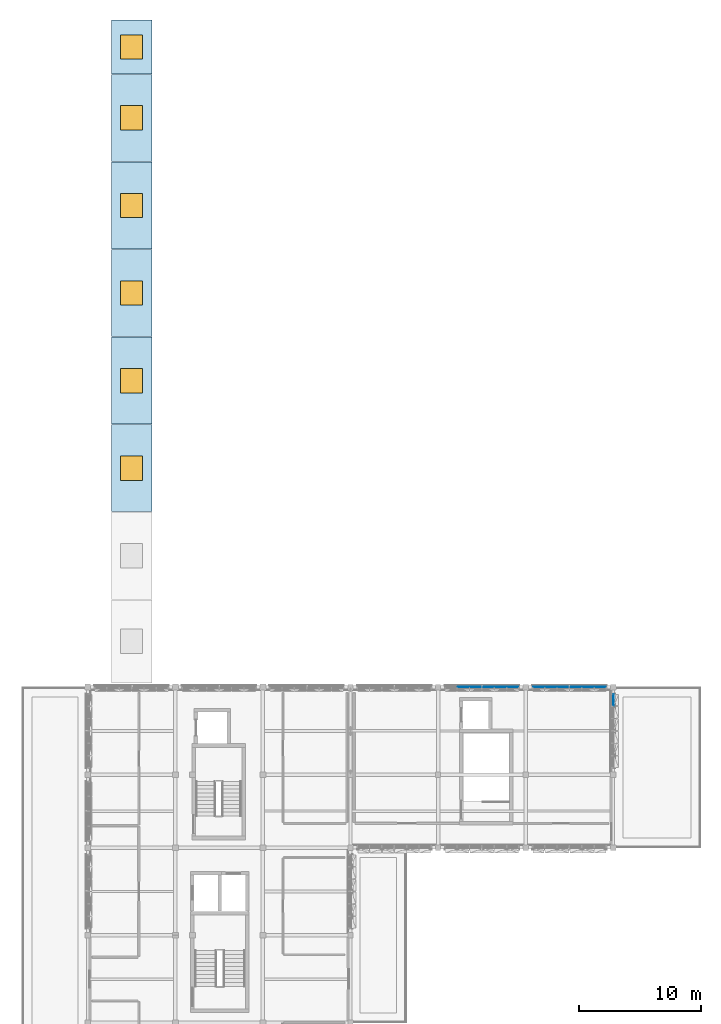
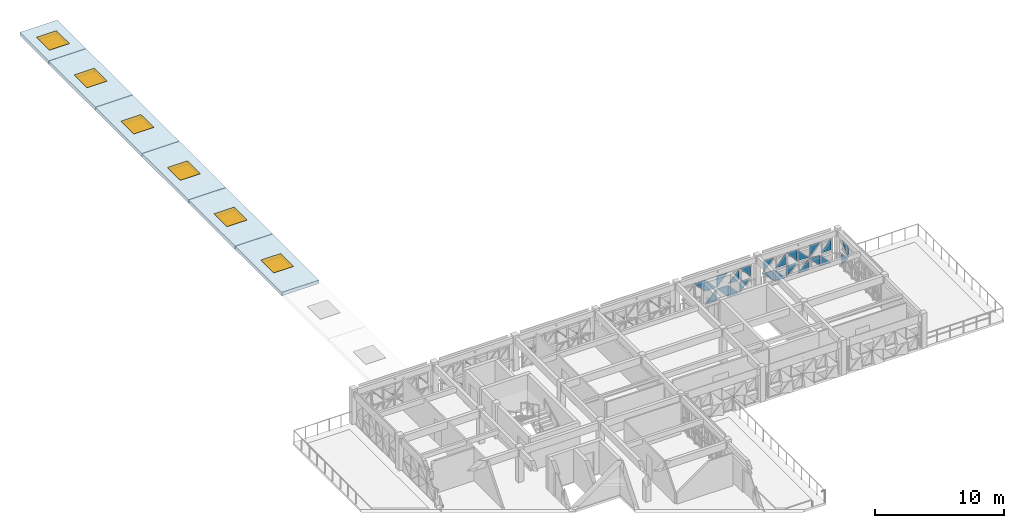
# One storey, part 17 of 35: 23 plates, 6 slabs, 6 windows, 6 openings, 3 elements without a shape of their own.
"""IFC4 building model written with IfcOpenShell, lengths in metres."""

from ifc_helpers import new_model, si_unit, direction, frame, origin, origin_2d, place, context, subcontext, project, spatial, polyline, rectangle, outline, extrude, material, layer, layer_set, type_object, element, fill, aggregate, save


model = new_model("IFC4")

# Units and contexts
model_context = context("Model", 3, precision=1e-05, world=origin(), true_north=direction((0.0, 1.0)))
body_context = subcontext(model_context, "Body", "Model", "MODEL_VIEW")
ifc_project = project(units=[si_unit("LENGTHUNIT", "METRE"), si_unit("AREAUNIT", "SQUARE_METRE"), si_unit("VOLUMEUNIT", "CUBIC_METRE"), si_unit("PLANEANGLEUNIT", "RADIAN"), si_unit("MASSUNIT", "GRAM", prefix="KILO")], contexts=[model_context])

# Site, building, storey
site_placement = place(None, origin())
site = spatial("IfcSite", under=ifc_project, at=site_placement, CompositionType="ELEMENT")
building_placement = place(site_placement, origin())
building = spatial("IfcBuilding", under=site, at=building_placement, Name="Alvorim Cloister Faculty of Sciences", CompositionType="ELEMENT")
storey_placement = place(building_placement, frame((0.0, 0.0, 22.949951171875)))
storey = spatial("IfcBuildingStorey", under=building, at=storey_placement, Name="L06", CompositionType="ELEMENT", Elevation=22.949951171875)

# Curtain wall, plates
ifc_material_1 = material(Name="Aluminium and Low-E Glass Curtain Wall", Category="aluminium")
curtain_wall_type = type_object("IfcCurtainWallType", Name="CW-TRI-6120x2550", PredefinedType="USERDEFINED", material=ifc_material_1)
curtain_wall_1_placement = place(storey_placement, origin())
curtain_wall_1 = element("IfcCurtainWall", 1, at=curtain_wall_1_placement, inside=storey, type_object=curtain_wall_type, Name="L06 Diagonal Cassette Curtain Wall CW-0249", ObjectType="UNITISED CURTAIN WALL", PredefinedType="USERDEFINED")
ifc_material_2 = material(Name="Double Low-E Laminated Glass", Category="glass")
ifc_layer_1 = layer(ifc_material_2, 0.0400390625)
ifc_layer_set_1 = layer_set([ifc_layer_1], Name="Double Low-E Laminated Glass")
plate_type = type_object("IfcPlateType", Name="PN-GLZ-40", PredefinedType="CURTAIN_PANEL", material=ifc_layer_set_1)
plate_1_placement = place(storey_placement, frame((37.592529296875, 56.425048828125, 1.344970703125), z_axis=(0.0, 0.0, 1.0), x_axis=(1.0, 0.0, 0.0)))
plate_1 = element("IfcPlate", 2, at=plate_1_placement, type_object=plate_type, Name="Diagonal Glazed Triangle TRI-TR", PredefinedType="CURTAIN_PANEL", context=body_context, shape_type="SweptSolid", body=[
    extrude(outline(polyline([(0.955078125, 0.001953125), (0.955078125, 1.065185546875), (0.001953125, 1.065185546875), (0.955078125, 0.001953125)])), frame((0.0, 0.02490234375, 0.0), z_axis=(0.0, -1.0, 0.0), x_axis=(1.0, 0.0, 0.0)), (0.0, 0.0, 1.0), 0.050048828125),
])
plate_2_placement = place(storey_placement, frame((38.612548828125, 56.425048828125, 0.14013671875), z_axis=(0.0, 0.0, 1.0), x_axis=(1.0, 0.0, 0.0)))
plate_2 = element("IfcPlate", 3, at=plate_2_placement, type_object=plate_type, Name="Diagonal Glazed Triangle TRI-BR", PredefinedType="CURTAIN_PANEL", context=body_context, shape_type="SweptSolid", body=[
    extrude(outline(polyline([(0.001953125, 0.0), (0.955078125, 0.0), (0.955078125, 1.06298828125), (0.001953125, 0.0)])), frame((0.0, 0.02490234375, 0.0), z_axis=(0.0, -1.0, 0.0), x_axis=(1.0, 0.0, 0.0)), (0.0, 0.0, 1.0), 0.050048828125),
])
plate_3_placement = place(storey_placement, frame((38.612548828125, 56.425048828125, 1.344970703125), z_axis=(0.0, 0.0, 1.0), x_axis=(1.0, 0.0, 0.0)))
plate_3 = element("IfcPlate", 4, at=plate_3_placement, type_object=plate_type, Name="Diagonal Glazed Triangle TRI-BL", PredefinedType="CURTAIN_PANEL", context=body_context, shape_type="SweptSolid", body=[
    extrude(outline(polyline([(0.0, 0.0), (0.953125, 0.0), (0.0, 1.063232421875), (0.0, 0.0)])), frame((0.0, 0.02490234375, 0.0), z_axis=(0.0, -1.0, 0.0), x_axis=(1.0, 0.0, 0.0)), (0.0, 0.0, 1.0), 0.050048828125),
])
plate_4_placement = place(storey_placement, frame((39.632568359375, 56.425048828125, 0.14013671875), z_axis=(0.0, 0.0, 1.0), x_axis=(1.0, 0.0, 0.0)))
plate_4 = element("IfcPlate", 5, at=plate_4_placement, type_object=plate_type, Name="Diagonal Glazed Triangle TRI-TR", PredefinedType="CURTAIN_PANEL", context=body_context, shape_type="SweptSolid", body=[
    extrude(outline(polyline([(0.955078125, 0.001953125), (0.955078125, 1.06494140625), (0.001953125, 1.06494140625), (0.955078125, 0.001953125)])), frame((0.0, 0.02490234375, 0.0), z_axis=(0.0, -1.0, 0.0), x_axis=(1.0, 0.0, 0.0)), (0.0, 0.0, 1.0), 0.050048828125),
])
plate_5_placement = place(storey_placement, frame((39.632568359375, 56.425048828125, 1.344970703125), z_axis=(0.0, 0.0, 1.0), x_axis=(1.0, 0.0, 0.0)))
plate_5 = element("IfcPlate", 6, at=plate_5_placement, type_object=plate_type, Name="Diagonal Glazed Triangle TRI-TL", PredefinedType="CURTAIN_PANEL", context=body_context, shape_type="SweptSolid", body=[
    extrude(outline(polyline([(0.953125, 1.065185546875), (0.0, 1.065185546875), (0.0, 0.001953125), (0.953125, 1.065185546875)])), frame((0.0, 0.02490234375, 0.0), z_axis=(0.0, -1.0, 0.0), x_axis=(1.0, 0.0, 0.0)), (0.0, 0.0, 1.0), 0.050048828125),
])
plate_6_placement = place(storey_placement, frame((40.652587890625, 56.425048828125, 0.14013671875), z_axis=(0.0, 0.0, 1.0), x_axis=(1.0, 0.0, 0.0)))
plate_6 = element("IfcPlate", 7, at=plate_6_placement, type_object=plate_type, Name="Diagonal Glazed Triangle TRI-BL", PredefinedType="CURTAIN_PANEL", context=body_context, shape_type="SweptSolid", body=[
    extrude(outline(polyline([(0.0, 0.0), (0.953125, 0.0), (0.0, 1.06298828125), (0.0, 0.0)])), frame((0.0, 0.02490234375, 0.0), z_axis=(0.0, -1.0, 0.0), x_axis=(1.0, 0.0, 0.0)), (0.0, 0.0, 1.0), 0.050048828125),
])
plate_7_placement = place(storey_placement, frame((40.652587890625, 56.425048828125, 1.344970703125), z_axis=(0.0, 0.0, 1.0), x_axis=(1.0, 0.0, 0.0)))
plate_7 = element("IfcPlate", 8, at=plate_7_placement, type_object=plate_type, Name="Diagonal Glazed Triangle TRI-BR", PredefinedType="CURTAIN_PANEL", context=body_context, shape_type="SweptSolid", body=[
    extrude(outline(polyline([(0.001953125, 0.0), (0.955078125, 0.0), (0.955078125, 1.063232421875), (0.001953125, 0.0)])), frame((0.0, 0.02490234375, 0.0), z_axis=(0.0, -1.0, 0.0), x_axis=(1.0, 0.0, 0.0)), (0.0, 0.0, 1.0), 0.050048828125),
])
plate_8_placement = place(storey_placement, frame((41.672607421875, 56.425048828125, 0.14013671875), z_axis=(0.0, 0.0, 1.0), x_axis=(1.0, 0.0, 0.0)))
plate_8 = element("IfcPlate", 9, at=plate_8_placement, type_object=plate_type, Name="Diagonal Glazed Triangle TRI-TL", PredefinedType="CURTAIN_PANEL", context=body_context, shape_type="SweptSolid", body=[
    extrude(outline(polyline([(0.920654296875, 1.06494140625), (0.0, 1.06494140625), (0.0, 0.001953125), (0.920654296875, 1.06494140625)])), frame((0.0, 0.02490234375, 0.0), z_axis=(0.0, -1.0, 0.0), x_axis=(1.0, 0.0, 0.0)), (0.0, 0.0, 1.0), 0.050048828125),
])
plate_9_placement = place(storey_placement, frame((41.672607421875, 56.425048828125, 1.344970703125), z_axis=(0.0, 0.0, 1.0), x_axis=(1.0, 0.0, 0.0)))
plate_9 = element("IfcPlate", 10, at=plate_9_placement, type_object=plate_type, Name="Diagonal Glazed Triangle TRI-TR", PredefinedType="CURTAIN_PANEL", context=body_context, shape_type="SweptSolid", body=[
    extrude(outline(polyline([(0.922607421875, 0.001953125), (0.922607421875, 1.065185546875), (0.001953125, 1.065185546875), (0.922607421875, 0.001953125)])), frame((0.0, 0.02490234375, 0.0), z_axis=(0.0, -1.0, 0.0), x_axis=(1.0, 0.0, 0.0)), (0.0, 0.0, 1.0), 0.050048828125),
])
aggregate(curtain_wall_1, [plate_1, plate_2, plate_3, plate_4, plate_5, plate_6, plate_7, plate_8, plate_9])

curtain_wall_2_placement = place(storey_placement, origin())
curtain_wall_2 = element("IfcCurtainWall", 11, at=curtain_wall_2_placement, inside=storey, type_object=curtain_wall_type, Name="L06 Diagonal Cassette Curtain Wall CW-0250", ObjectType="UNITISED CURTAIN WALL", PredefinedType="USERDEFINED")
plate_10_placement = place(storey_placement, frame((43.804931640625, 56.425048828125, 0.14013671875), z_axis=(0.0, 0.0, 1.0), x_axis=(1.0, 0.0, 0.0)))
plate_10 = element("IfcPlate", 12, at=plate_10_placement, type_object=plate_type, Name="Diagonal Glazed Triangle TRI-TR", PredefinedType="CURTAIN_PANEL", context=body_context, shape_type="SweptSolid", body=[
    extrude(outline(polyline([(0.922607421875, 0.001953125), (0.922607421875, 1.06494140625), (0.001953125, 1.06494140625), (0.922607421875, 0.001953125)])), frame((0.0, 0.02490234375, 0.0), z_axis=(0.0, -1.0, 0.0), x_axis=(1.0, 0.0, 0.0)), (0.0, 0.0, 1.0), 0.050048828125),
])
plate_11_placement = place(storey_placement, frame((43.804931640625, 56.425048828125, 1.344970703125), z_axis=(0.0, 0.0, 1.0), x_axis=(1.0, 0.0, 0.0)))
plate_11 = element("IfcPlate", 13, at=plate_11_placement, type_object=plate_type, Name="Diagonal Glazed Triangle TRI-TL", PredefinedType="CURTAIN_PANEL", context=body_context, shape_type="SweptSolid", body=[
    extrude(outline(polyline([(0.920654296875, 1.065185546875), (0.0, 1.065185546875), (0.0, 0.001953125), (0.920654296875, 1.065185546875)])), frame((0.0, 0.02490234375, 0.0), z_axis=(0.0, -1.0, 0.0), x_axis=(1.0, 0.0, 0.0)), (0.0, 0.0, 1.0), 0.050048828125),
])
plate_12_placement = place(storey_placement, frame((44.79248046875, 56.425048828125, 0.14013671875), z_axis=(0.0, 0.0, 1.0), x_axis=(1.0, 0.0, 0.0)))
plate_12 = element("IfcPlate", 14, at=plate_12_placement, type_object=plate_type, Name="Diagonal Glazed Triangle TRI-BL", PredefinedType="CURTAIN_PANEL", context=body_context, shape_type="SweptSolid", body=[
    extrude(outline(polyline([(0.0, 0.0), (0.953125, 0.0), (0.0, 1.06298828125), (0.0, 0.0)])), frame((0.0, 0.02490234375, 0.0), z_axis=(0.0, -1.0, 0.0), x_axis=(1.0, 0.0, 0.0)), (0.0, 0.0, 1.0), 0.050048828125),
])
plate_13_placement = place(storey_placement, frame((44.79248046875, 56.425048828125, 1.344970703125), z_axis=(0.0, 0.0, 1.0), x_axis=(1.0, 0.0, 0.0)))
plate_13 = element("IfcPlate", 15, at=plate_13_placement, type_object=plate_type, Name="Diagonal Glazed Triangle TRI-BR", PredefinedType="CURTAIN_PANEL", context=body_context, shape_type="SweptSolid", body=[
    extrude(outline(polyline([(0.001953125, 0.0), (0.955078125, 0.0), (0.955078125, 1.063232421875), (0.001953125, 0.0)])), frame((0.0, 0.02490234375, 0.0), z_axis=(0.0, -1.0, 0.0), x_axis=(1.0, 0.0, 0.0)), (0.0, 0.0, 1.0), 0.050048828125),
])
plate_14_placement = place(storey_placement, frame((45.8125, 56.425048828125, 0.14013671875), z_axis=(0.0, 0.0, 1.0), x_axis=(1.0, 0.0, 0.0)))
plate_14 = element("IfcPlate", 16, at=plate_14_placement, type_object=plate_type, Name="Diagonal Glazed Triangle TRI-TL", PredefinedType="CURTAIN_PANEL", context=body_context, shape_type="SweptSolid", body=[
    extrude(outline(polyline([(0.953125, 1.06494140625), (0.0, 1.06494140625), (0.0, 0.001953125), (0.953125, 1.06494140625)])), frame((0.0, 0.02490234375, 0.0), z_axis=(0.0, -1.0, 0.0), x_axis=(1.0, 0.0, 0.0)), (0.0, 0.0, 1.0), 0.050048828125),
])
plate_15_placement = place(storey_placement, frame((45.8125, 56.425048828125, 1.344970703125), z_axis=(0.0, 0.0, 1.0), x_axis=(1.0, 0.0, 0.0)))
plate_15 = element("IfcPlate", 17, at=plate_15_placement, type_object=plate_type, Name="Diagonal Glazed Triangle TRI-TR", PredefinedType="CURTAIN_PANEL", context=body_context, shape_type="SweptSolid", body=[
    extrude(outline(polyline([(0.955078125, 0.001953125), (0.955078125, 1.065185546875), (0.001953125, 1.065185546875), (0.955078125, 0.001953125)])), frame((0.0, 0.02490234375, 0.0), z_axis=(0.0, -1.0, 0.0), x_axis=(1.0, 0.0, 0.0)), (0.0, 0.0, 1.0), 0.050048828125),
])
plate_16_placement = place(storey_placement, frame((46.83251953125, 56.425048828125, 0.14013671875), z_axis=(0.0, 0.0, 1.0), x_axis=(1.0, 0.0, 0.0)))
plate_16 = element("IfcPlate", 18, at=plate_16_placement, type_object=plate_type, Name="Diagonal Glazed Triangle TRI-BR", PredefinedType="CURTAIN_PANEL", context=body_context, shape_type="SweptSolid", body=[
    extrude(outline(polyline([(0.001953125, 0.0), (0.955078125, 0.0), (0.955078125, 1.06298828125), (0.001953125, 0.0)])), frame((0.0, 0.02490234375, 0.0), z_axis=(0.0, -1.0, 0.0), x_axis=(1.0, 0.0, 0.0)), (0.0, 0.0, 1.0), 0.050048828125),
])
plate_17_placement = place(storey_placement, frame((46.83251953125, 56.425048828125, 1.344970703125), z_axis=(0.0, 0.0, 1.0), x_axis=(1.0, 0.0, 0.0)))
plate_17 = element("IfcPlate", 19, at=plate_17_placement, type_object=plate_type, Name="Diagonal Glazed Triangle TRI-BL", PredefinedType="CURTAIN_PANEL", context=body_context, shape_type="SweptSolid", body=[
    extrude(outline(polyline([(0.0, 0.0), (0.953125, 0.0), (0.0, 1.063232421875), (0.0, 0.0)])), frame((0.0, 0.02490234375, 0.0), z_axis=(0.0, -1.0, 0.0), x_axis=(1.0, 0.0, 0.0)), (0.0, 0.0, 1.0), 0.050048828125),
])
plate_18_placement = place(storey_placement, frame((47.8525390625, 56.425048828125, 0.14013671875), z_axis=(0.0, 0.0, 1.0), x_axis=(1.0, 0.0, 0.0)))
plate_18 = element("IfcPlate", 20, at=plate_18_placement, type_object=plate_type, Name="Diagonal Glazed Triangle TRI-TR", PredefinedType="CURTAIN_PANEL", context=body_context, shape_type="SweptSolid", body=[
    extrude(outline(polyline([(0.955078125, 0.001953125), (0.955078125, 1.06494140625), (0.001953125, 1.06494140625), (0.955078125, 0.001953125)])), frame((0.0, 0.02490234375, 0.0), z_axis=(0.0, -1.0, 0.0), x_axis=(1.0, 0.0, 0.0)), (0.0, 0.0, 1.0), 0.050048828125),
])
plate_19_placement = place(storey_placement, frame((47.8525390625, 56.425048828125, 1.344970703125), z_axis=(0.0, 0.0, 1.0), x_axis=(1.0, 0.0, 0.0)))
plate_19 = element("IfcPlate", 21, at=plate_19_placement, type_object=plate_type, Name="Diagonal Glazed Triangle TRI-TL", PredefinedType="CURTAIN_PANEL", context=body_context, shape_type="SweptSolid", body=[
    extrude(outline(polyline([(0.953125, 1.065185546875), (0.0, 1.065185546875), (0.0, 0.001953125), (0.953125, 1.065185546875)])), frame((0.0, 0.02490234375, 0.0), z_axis=(0.0, -1.0, 0.0), x_axis=(1.0, 0.0, 0.0)), (0.0, 0.0, 1.0), 0.050048828125),
])
plate_20_placement = place(storey_placement, frame((48.87255859375, 56.425048828125, 0.14013671875), z_axis=(0.0, 0.0, 1.0), x_axis=(1.0, 0.0, 0.0)))
plate_20 = element("IfcPlate", 22, at=plate_20_placement, type_object=plate_type, Name="Diagonal Glazed Triangle TRI-BL", PredefinedType="CURTAIN_PANEL", context=body_context, shape_type="SweptSolid", body=[
    extrude(outline(polyline([(0.0, 0.0), (0.920654296875, 0.0), (0.0, 1.06298828125), (0.0, 0.0)])), frame((0.0, 0.02490234375, 0.0), z_axis=(0.0, -1.0, 0.0), x_axis=(1.0, 0.0, 0.0)), (0.0, 0.0, 1.0), 0.050048828125),
])
plate_21_placement = place(storey_placement, frame((48.87255859375, 56.425048828125, 1.344970703125), z_axis=(0.0, 0.0, 1.0), x_axis=(1.0, 0.0, 0.0)))
plate_21 = element("IfcPlate", 23, at=plate_21_placement, type_object=plate_type, Name="Diagonal Glazed Triangle TRI-BR", PredefinedType="CURTAIN_PANEL", context=body_context, shape_type="SweptSolid", body=[
    extrude(outline(polyline([(0.001953125, 0.0), (0.922607421875, 0.0), (0.922607421875, 1.063232421875), (0.001953125, 0.0)])), frame((0.0, 0.02490234375, 0.0), z_axis=(0.0, -1.0, 0.0), x_axis=(1.0, 0.0, 0.0)), (0.0, 0.0, 1.0), 0.050048828125),
])
aggregate(curtain_wall_2, [plate_10, plate_11, plate_12, plate_13, plate_14, plate_15, plate_16, plate_17, plate_18, plate_19, plate_20, plate_21])

curtain_wall_3_placement = place(storey_placement, origin())
curtain_wall_3 = element("IfcCurtainWall", 24, at=curtain_wall_3_placement, inside=storey, type_object=curtain_wall_type, Name="L06 Diagonal Cassette Curtain Wall CW-0251", ObjectType="UNITISED CURTAIN WALL", PredefinedType="USERDEFINED")
plate_22_placement = place(storey_placement, frame((50.425048828125, 54.87255859375, 0.14013671875), z_axis=(0.0, 0.0, 1.0), x_axis=(0.0, 1.0, 0.0)))
plate_22 = element("IfcPlate", 25, at=plate_22_placement, type_object=plate_type, Name="Diagonal Glazed Triangle TRI-TR", PredefinedType="CURTAIN_PANEL", context=body_context, shape_type="SweptSolid", body=[
    extrude(outline(polyline([(0.922607421875, 0.001953125), (0.922607421875, 1.06494140625), (0.001953125, 1.06494140625), (0.922607421875, 0.001953125)])), frame((0.0, 0.02490234375, 0.0), z_axis=(0.0, -1.0, 0.0), x_axis=(1.0, 0.0, 0.0)), (0.0, 0.0, 1.0), 0.050048828125),
])
plate_23_placement = place(storey_placement, frame((50.425048828125, 54.87255859375, 1.344970703125), z_axis=(0.0, 0.0, 1.0), x_axis=(0.0, 1.0, 0.0)))
plate_23 = element("IfcPlate", 26, at=plate_23_placement, type_object=plate_type, Name="Diagonal Glazed Triangle TRI-TL", PredefinedType="CURTAIN_PANEL", context=body_context, shape_type="SweptSolid", body=[
    extrude(outline(polyline([(0.920654296875, 1.065185546875), (0.0, 1.065185546875), (0.0, 0.001953125), (0.920654296875, 1.065185546875)])), frame((0.0, 0.02490234375, 0.0), z_axis=(0.0, -1.0, 0.0), x_axis=(1.0, 0.0, 0.0)), (0.0, 0.0, 1.0), 0.050048828125),
])
aggregate(curtain_wall_3, [plate_22, plate_23])

# Slab, opening, window
ifc_material_3 = material(Name="Concrete C40", Category="concrete")
ifc_layer_2 = layer(ifc_material_3, 0.340087890625)
ifc_layer_set_2 = layer_set([ifc_layer_2], Name="Concrete C40")
slab_type = type_object("IfcSlabType", Name="SL-ROOF-340", PredefinedType="ROOF", material=ifc_layer_set_2)
slab_1_placement = place(storey_placement, frame((0.0, 0.0, 2.48876953125)))
slab_1 = element("IfcSlab", 27, at=slab_1_placement, inside=storey, type_object=slab_type, Name="Learning Commons Skylight Lantern Deck 3", PredefinedType="ROOF", context=body_context, shape_type="SweptSolid", body=[
    extrude(outline(polyline([(9.139892578125, 70.820068359375), (12.4599609375, 70.820068359375), (12.4599609375, 77.97998046875), (9.139892578125, 77.97998046875), (9.139892578125, 70.820068359375)])), origin(), (0.0, 0.0, 1.0), 0.33984375),
])
opening_1_placement = place(slab_1_placement, frame((10.800048828125, 74.39990234375, -0.011962890625)))
opening_1 = element("IfcOpeningElement", 28, at=opening_1_placement, cuts=slab_1, Name="Opening SK-05", PredefinedType="OPENING", context=body_context, shape_type="SweptSolid", body=[
    extrude(rectangle(XDim=1.800048828125, YDim=2.0, at=origin_2d()), origin(), (0.0, 0.0, 1.0), 0.36376953125),
])
window_type = type_object("IfcWindowType", Name="WN-SKY-1800x2000", PartitioningType="SINGLE_PANEL", PredefinedType="SKYLIGHT", material=ifc_material_2)
window_1_placement = place(slab_1_placement, frame((10.800048828125, 74.39990234375, 0.289794921875)))
window_1 = element("IfcWindow", 29, at=window_1_placement, inside=storey, type_object=window_type, Name="Lantern Crest Skylight SK-05", OverallHeight=2.0, OverallWidth=1.800048828125, PartitioningType="SINGLE_PANEL", PredefinedType="SKYLIGHT", context=body_context, shape_type="SweptSolid", body=[
    extrude(rectangle(XDim=1.800048828125, YDim=2.0, at=origin_2d()), origin(), (0.0, 0.0, 1.0), 0.050048828125),
])
fill(opening_1, window_1)

slab_2_placement = place(storey_placement, frame((0.0, 0.0, 2.48876953125)))
slab_2 = element("IfcSlab", 30, at=slab_2_placement, inside=storey, type_object=slab_type, Name="Learning Commons Skylight Lantern Deck 4", PredefinedType="ROOF", context=body_context, shape_type="SweptSolid", body=[
    extrude(outline(polyline([(9.139892578125, 78.02001953125), (12.4599609375, 78.02001953125), (12.4599609375, 85.179931640625), (9.139892578125, 85.179931640625), (9.139892578125, 78.02001953125)])), origin(), (0.0, 0.0, 1.0), 0.33984375),
])
opening_2_placement = place(slab_2_placement, frame((10.800048828125, 81.60009765625, -0.011962890625)))
opening_2 = element("IfcOpeningElement", 31, at=opening_2_placement, cuts=slab_2, Name="Opening SK-06", PredefinedType="OPENING", context=body_context, shape_type="SweptSolid", body=[
    extrude(rectangle(XDim=1.800048828125, YDim=2.0, at=origin_2d()), origin(), (0.0, 0.0, 1.0), 0.36376953125),
])
window_2_placement = place(slab_2_placement, frame((10.800048828125, 81.60009765625, 0.289794921875)))
window_2 = element("IfcWindow", 32, at=window_2_placement, inside=storey, type_object=window_type, Name="Lantern Crest Skylight SK-06", OverallHeight=2.0, OverallWidth=1.800048828125, PartitioningType="SINGLE_PANEL", PredefinedType="SKYLIGHT", context=body_context, shape_type="SweptSolid", body=[
    extrude(rectangle(XDim=1.800048828125, YDim=2.0, at=origin_2d()), origin(), (0.0, 0.0, 1.0), 0.050048828125),
])
fill(opening_2, window_2)

slab_3_placement = place(storey_placement, frame((0.0, 0.0, 2.48876953125)))
slab_3 = element("IfcSlab", 33, at=slab_3_placement, inside=storey, type_object=slab_type, Name="Learning Commons Skylight Lantern Deck 5", PredefinedType="ROOF", context=body_context, shape_type="SweptSolid", body=[
    extrude(outline(polyline([(9.139892578125, 85.219970703125), (12.4599609375, 85.219970703125), (12.4599609375, 92.3798828125), (9.139892578125, 92.3798828125), (9.139892578125, 85.219970703125)])), origin(), (0.0, 0.0, 1.0), 0.33984375),
])
opening_3_placement = place(slab_3_placement, frame((10.800048828125, 88.800048828125, -0.011962890625)))
opening_3 = element("IfcOpeningElement", 34, at=opening_3_placement, cuts=slab_3, Name="Opening SK-07", PredefinedType="OPENING", context=body_context, shape_type="SweptSolid", body=[
    extrude(rectangle(XDim=1.800048828125, YDim=2.0, at=origin_2d()), origin(), (0.0, 0.0, 1.0), 0.36376953125),
])
window_3_placement = place(slab_3_placement, frame((10.800048828125, 88.800048828125, 0.289794921875)))
window_3 = element("IfcWindow", 35, at=window_3_placement, inside=storey, type_object=window_type, Name="Lantern Crest Skylight SK-07", OverallHeight=2.0, OverallWidth=1.800048828125, PartitioningType="SINGLE_PANEL", PredefinedType="SKYLIGHT", context=body_context, shape_type="SweptSolid", body=[
    extrude(rectangle(XDim=1.800048828125, YDim=2.0, at=origin_2d()), origin(), (0.0, 0.0, 1.0), 0.050048828125),
])
fill(opening_3, window_3)

slab_4_placement = place(storey_placement, frame((0.0, 0.0, 2.48876953125)))
slab_4 = element("IfcSlab", 36, at=slab_4_placement, inside=storey, type_object=slab_type, Name="Learning Commons Skylight Lantern Deck 6", PredefinedType="ROOF", context=body_context, shape_type="SweptSolid", body=[
    extrude(outline(polyline([(9.139892578125, 92.419921875), (12.4599609375, 92.419921875), (12.4599609375, 99.580078125), (9.139892578125, 99.580078125), (9.139892578125, 92.419921875)])), origin(), (0.0, 0.0, 1.0), 0.33984375),
])
opening_4_placement = place(slab_4_placement, frame((10.800048828125, 96.0, -0.011962890625)))
opening_4 = element("IfcOpeningElement", 37, at=opening_4_placement, cuts=slab_4, Name="Opening SK-08", PredefinedType="OPENING", context=body_context, shape_type="SweptSolid", body=[
    extrude(rectangle(XDim=1.800048828125, YDim=2.0, at=origin_2d()), origin(), (0.0, 0.0, 1.0), 0.36376953125),
])
window_4_placement = place(slab_4_placement, frame((10.800048828125, 96.0, 0.289794921875)))
window_4 = element("IfcWindow", 38, at=window_4_placement, inside=storey, type_object=window_type, Name="Lantern Crest Skylight SK-08", OverallHeight=2.0, OverallWidth=1.800048828125, PartitioningType="SINGLE_PANEL", PredefinedType="SKYLIGHT", context=body_context, shape_type="SweptSolid", body=[
    extrude(rectangle(XDim=1.800048828125, YDim=2.0, at=origin_2d()), origin(), (0.0, 0.0, 1.0), 0.050048828125),
])
fill(opening_4, window_4)

slab_5_placement = place(storey_placement, frame((0.0, 0.0, 2.48876953125)))
slab_5 = element("IfcSlab", 39, at=slab_5_placement, inside=storey, type_object=slab_type, Name="Learning Commons Skylight Lantern Deck 7", PredefinedType="ROOF", context=body_context, shape_type="SweptSolid", body=[
    extrude(outline(polyline([(9.139892578125, 99.6201171875), (12.4599609375, 99.6201171875), (12.4599609375, 106.780029296875), (9.139892578125, 106.780029296875), (9.139892578125, 99.6201171875)])), origin(), (0.0, 0.0, 1.0), 0.33984375),
])
opening_5_placement = place(slab_5_placement, frame((10.800048828125, 103.199951171875, -0.011962890625)))
opening_5 = element("IfcOpeningElement", 40, at=opening_5_placement, cuts=slab_5, Name="Opening SK-09", PredefinedType="OPENING", context=body_context, shape_type="SweptSolid", body=[
    extrude(rectangle(XDim=1.800048828125, YDim=2.0, at=origin_2d()), origin(), (0.0, 0.0, 1.0), 0.36376953125),
])
window_5_placement = place(slab_5_placement, frame((10.800048828125, 103.199951171875, 0.289794921875)))
window_5 = element("IfcWindow", 41, at=window_5_placement, inside=storey, type_object=window_type, Name="Lantern Crest Skylight SK-09", OverallHeight=2.0, OverallWidth=1.800048828125, PartitioningType="SINGLE_PANEL", PredefinedType="SKYLIGHT", context=body_context, shape_type="SweptSolid", body=[
    extrude(rectangle(XDim=1.800048828125, YDim=2.0, at=origin_2d()), origin(), (0.0, 0.0, 1.0), 0.050048828125),
])
fill(opening_5, window_5)

slab_6_placement = place(storey_placement, frame((0.0, 0.0, 2.48876953125)))
slab_6 = element("IfcSlab", 42, at=slab_6_placement, inside=storey, type_object=slab_type, Name="Learning Commons Skylight Lantern Deck 8", PredefinedType="ROOF", context=body_context, shape_type="SweptSolid", body=[
    extrude(outline(polyline([(9.139892578125, 106.820068359375), (12.4599609375, 106.820068359375), (12.4599609375, 111.25), (9.139892578125, 111.25), (9.139892578125, 106.820068359375)])), origin(), (0.0, 0.0, 1.0), 0.33984375),
])
opening_6_placement = place(slab_6_placement, frame((10.800048828125, 109.034912109375, -0.011962890625)))
opening_6 = element("IfcOpeningElement", 43, at=opening_6_placement, cuts=slab_6, Name="Opening SK-10", PredefinedType="OPENING", context=body_context, shape_type="SweptSolid", body=[
    extrude(rectangle(XDim=1.800048828125, YDim=2.0, at=origin_2d()), origin(), (0.0, 0.0, 1.0), 0.36376953125),
])
window_6_placement = place(slab_6_placement, frame((10.800048828125, 109.034912109375, 0.289794921875)))
window_6 = element("IfcWindow", 44, at=window_6_placement, inside=storey, type_object=window_type, Name="Lantern Crest Skylight SK-10", OverallHeight=2.0, OverallWidth=1.800048828125, PartitioningType="SINGLE_PANEL", PredefinedType="SKYLIGHT", context=body_context, shape_type="SweptSolid", body=[
    extrude(rectangle(XDim=1.800048828125, YDim=2.0, at=origin_2d()), origin(), (0.0, 0.0, 1.0), 0.050048828125),
])
fill(opening_6, window_6)

save(model, "model.ifc")
